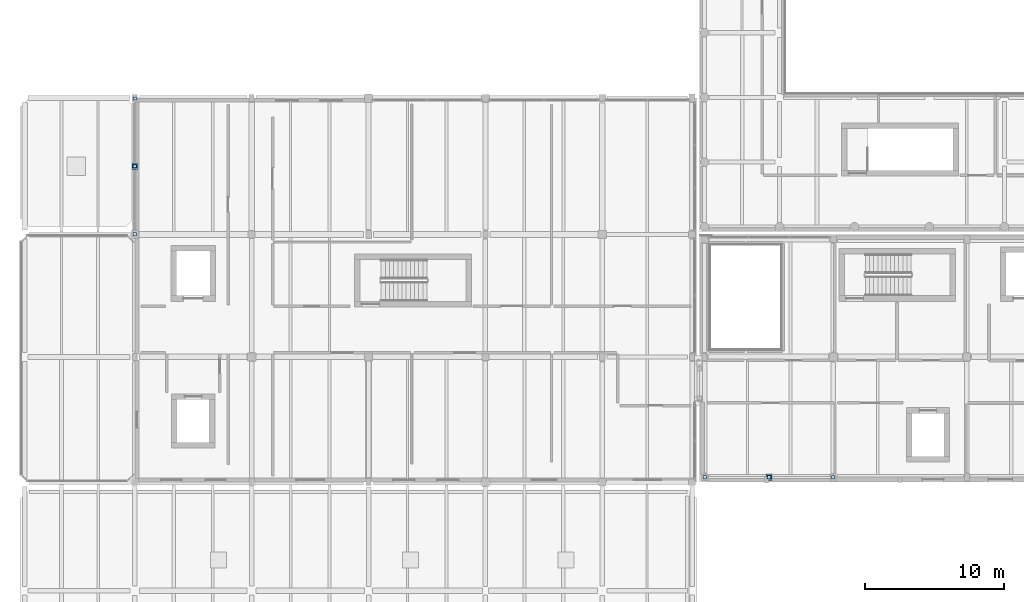
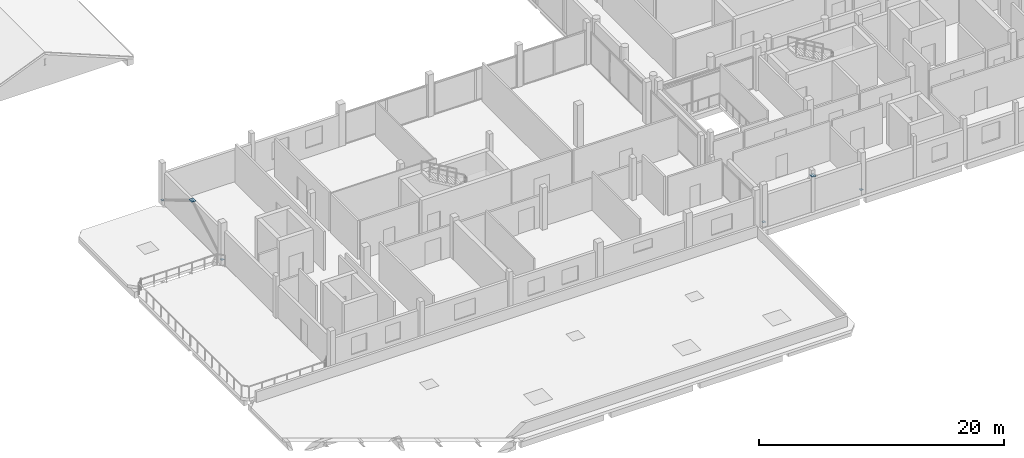
# One storey, part 36 of 66: 10 plates.
"""IFC4 building model written with IfcOpenShell, lengths in metres."""

from ifc_helpers import new_model, si_unit, direction, frame, origin, origin_2d, place, context, subcontext, project, spatial, rectangle, extrude, material, layer, layer_set, type_object, element, save


model = new_model("IFC4")

# Units and contexts
model_context = context("Model", 3, precision=1e-05, world=origin(), true_north=direction((0.0, 1.0)))
body_context = subcontext(model_context, "Body", "Model", "MODEL_VIEW")
ifc_project = project(units=[si_unit("LENGTHUNIT", "METRE"), si_unit("AREAUNIT", "SQUARE_METRE"), si_unit("VOLUMEUNIT", "CUBIC_METRE"), si_unit("PLANEANGLEUNIT", "RADIAN"), si_unit("MASSUNIT", "GRAM", prefix="KILO")], contexts=[model_context])

# Site, building, storey
site_placement = place(None, origin())
site = spatial("IfcSite", under=ifc_project, at=site_placement, CompositionType="ELEMENT")
building_placement = place(site_placement, origin())
building = spatial("IfcBuilding", under=site, at=building_placement, Name="Birchvale Park Specialist Clinic", CompositionType="ELEMENT")
storey_placement = place(building_placement, frame((0.0, 0.0, 5.39990234375)))
storey = spatial("IfcBuildingStorey", under=building, at=storey_placement, Name="L01", CompositionType="ELEMENT", Elevation=5.39990234375)

# Plates
ifc_material = material(Name="Steel ASTM A572 Grade 50", Category="steel")
ifc_layer_1 = layer(ifc_material, 0.02001953125)
ifc_layer_set_1 = layer_set([ifc_layer_1], Name="Steel ASTM A572 Grade 50")
plate_type_1 = type_object("IfcPlateType", Name="PLT-EC3", PredefinedType="USERDEFINED", material=ifc_layer_set_1)
for number, where, z_axis, x_axis, name in (
    (1, (11.199951171875, 34.6171875, 0.350341796875), (0.0, 0.0, 1.0), (1.0, 0.0, 0.0), "V2 L01 brace sealed cap plate 7.1.1"),
    (2, (11.199951171875, 39.48291015625, 3.249755859375), (0.0, 0.0, 1.0), (1.0, 0.0, 0.0), "V2 L01 brace sealed cap plate 7.1.2"),
    (3, (11.199951171875, 44.3828125, 0.350341796875), (0.0, 0.0, 1.0), (1.0, 0.0, 0.0), "V2 L01 brace sealed cap plate 7.2.1"),
    (4, (11.199951171875, 39.51708984375, 3.249755859375), (0.0, 0.0, 1.0), (1.0, 0.0, 0.0), "V2 L01 brace sealed cap plate 7.2.2"),
):
    element("IfcPlate", number, at=place(storey_placement, frame(where, z_axis=z_axis, x_axis=x_axis)), inside=storey, type_object=plate_type_1, Name=name, ObjectType="BASE_PLATE", PredefinedType="USERDEFINED", context=body_context, shape_type="SweptSolid", body=[
        extrude(rectangle(XDim=0.22998046875, YDim=0.22998046875, at=origin_2d()), origin(), (0.0, 0.0, 1.0), 0.02001953125),
    ])
ifc_layer_2 = layer(ifc_material, 0.02001953125)
ifc_layer_set_2 = layer_set([ifc_layer_2], Name="Steel ASTM A572 Grade 50")
plate_type_2 = type_object("IfcPlateType", Name="PLT-EC6", PredefinedType="USERDEFINED", material=ifc_layer_set_2)
for number, where, z_axis, x_axis, name in (
    (5, (52.166748046875, 17.14990234375, 0.35107421875), (0.0, 0.0, 1.0), (1.0, 0.0, 0.0), "V4 L01 brace sealed cap plate 3.1.1"),
    (6, (56.75830078125, 17.14990234375, 3.319091796875), (0.0, 0.0, 1.0), (1.0, 0.0, 0.0), "V4 L01 brace sealed cap plate 3.1.2"),
    (7, (61.38330078125, 17.14990234375, 0.35107421875), (0.0, 0.0, 1.0), (1.0, 0.0, 0.0), "V4 L01 brace sealed cap plate 3.2.1"),
    (8, (56.791748046875, 17.14990234375, 3.319091796875), (0.0, 0.0, 1.0), (1.0, 0.0, 0.0), "V4 L01 brace sealed cap plate 3.2.2"),
):
    element("IfcPlate", number, at=place(storey_placement, frame(where, z_axis=z_axis, x_axis=x_axis)), inside=storey, type_object=plate_type_2, Name=name, ObjectType="BASE_PLATE", PredefinedType="USERDEFINED", context=body_context, shape_type="SweptSolid", body=[
        extrude(rectangle(XDim=0.239990234375, YDim=0.239990234375, at=origin_2d()), origin(), (0.0, 0.0, 1.0), 0.02001953125),
    ])
ifc_layer_3 = layer(ifc_material, 0.02392578125)
ifc_layer_set_3 = layer_set([ifc_layer_3], Name="Steel ASTM A572 Grade 50")
plate_type_3 = type_object("IfcPlateType", Name="PLT-KN1", PredefinedType="USERDEFINED", material=ifc_layer_set_3)
plate_1_placement = place(storey_placement, frame((56.77490234375, 17.14990234375, 3.340087890625), z_axis=(0.0, 0.0, 1.0), x_axis=(1.0, 0.0, 0.0)))
element("IfcPlate", 9, at=plate_1_placement, inside=storey, type_object=plate_type_3, Name="V4 L01 braced-frame apex gusset plate KN1-3", ObjectType="GUSSET_PLATE", PredefinedType="USERDEFINED", context=body_context, shape_type="SweptSolid", body=[
    extrude(rectangle(XDim=0.419921875, YDim=0.47998046875, at=origin_2d()), origin(), (0.0, 0.0, 1.0), 0.02392578125),
])
ifc_layer_4 = layer(ifc_material, 0.02197265625)
ifc_layer_set_4 = layer_set([ifc_layer_4], Name="Steel ASTM A572 Grade 50")
plate_type_4 = type_object("IfcPlateType", Name="PLT-KN3", PredefinedType="USERDEFINED", material=ifc_layer_set_4)
plate_2_placement = place(storey_placement, frame((11.199951171875, 39.5, 3.27001953125), z_axis=(0.0, 0.0, 1.0), x_axis=(1.0, 0.0, 0.0)))
element("IfcPlate", 10, at=plate_2_placement, inside=storey, type_object=plate_type_4, Name="V2 L01 braced-frame apex gusset plate KN1-7", ObjectType="GUSSET_PLATE", PredefinedType="USERDEFINED", context=body_context, shape_type="SweptSolid", body=[
    extrude(rectangle(XDim=0.419921875, YDim=0.47998046875, at=origin_2d()), origin(), (0.0, 0.0, 1.0), 0.02392578125),
])

save(model, "model.ifc")
